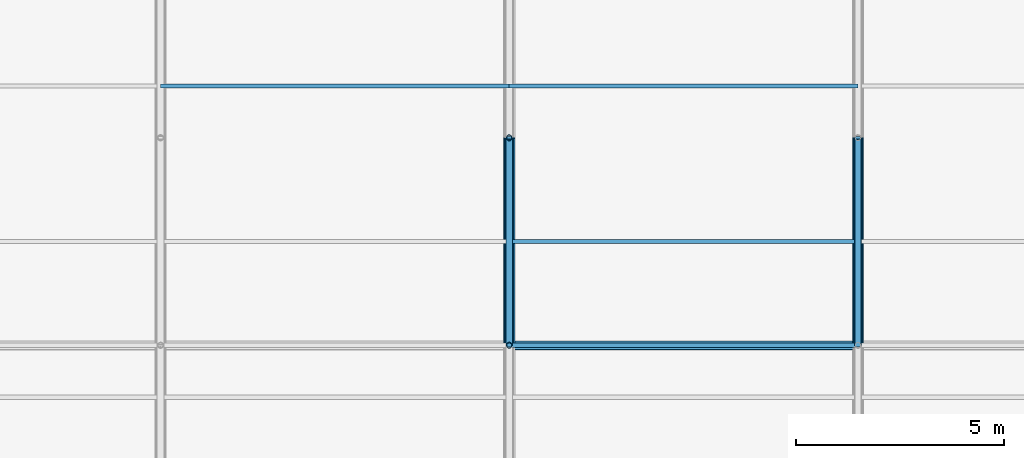
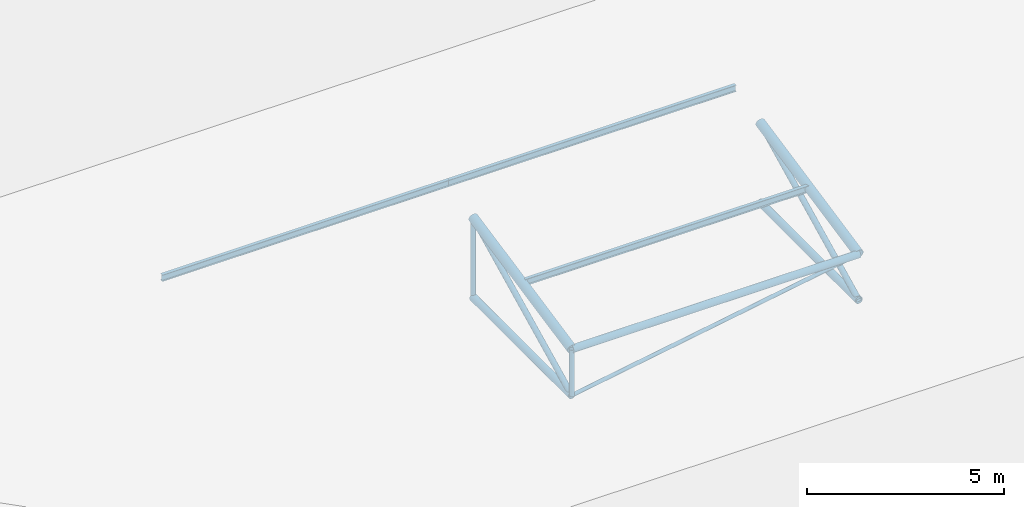
# One storey, part 52 of 194: 10 members, 3 beams.
"""IFC4 building model written with IfcOpenShell, lengths in metres."""

from ifc_helpers import new_model, si_unit, direction, frame, origin, origin_2d, place, context, subcontext, project, spatial, hollow_circle, i_section, extrude, material, material_profile, profile_set, type_object, element, save


model = new_model("IFC4")

# Units and contexts
model_context = context("Model", 3, precision=1e-05, world=origin(), true_north=direction((0.0, 1.0)))
body_context = subcontext(model_context, "Body", "Model", "MODEL_VIEW")
ifc_project = project(units=[si_unit("LENGTHUNIT", "METRE"), si_unit("AREAUNIT", "SQUARE_METRE"), si_unit("VOLUMEUNIT", "CUBIC_METRE"), si_unit("PLANEANGLEUNIT", "RADIAN"), si_unit("MASSUNIT", "GRAM", prefix="KILO")], contexts=[model_context])

# Site, building, storey
site_placement = place(None, origin())
site = spatial("IfcSite", under=ifc_project, at=site_placement, CompositionType="ELEMENT")
building_placement = place(site_placement, origin())
building = spatial("IfcBuilding", under=site, at=building_placement, Name="Kazenagashi Tramway Depot", CompositionType="ELEMENT")
storey_placement = place(building_placement, frame((0.0, 0.0, 23.7)))
storey = spatial("IfcBuildingStorey", under=building, at=storey_placement, Name="ROOF", CompositionType="ELEMENT", Elevation=23.7)

# Beams
ifc_material_1 = material(Name="Steel SN400B", Category="steel")
ifc_material_profile_1 = material_profile(ifc_material_1, i_section(OverallWidth=0.1, OverallDepth=0.2, WebThickness=0.0055, FlangeThickness=0.008, at=origin_2d()), Name="H-200x100x5.5x8")
ifc_profile_set_1 = profile_set([ifc_material_profile_1], Name="Steel SN400B")
beam_type = type_object("IfcBeamType", Name="PR-01", PredefinedType="USERDEFINED", material=ifc_profile_set_1)
for number, where, z_axis, x_axis, name in (
    (1, (103.6, 107.5, -12.13), (1.0, 0.0, 0.0), (0.0, 1.0, 0.0), "Beam PR-01 BM-2151"),
    (2, (95.2, 111.25, -11.305), (1.0, 0.0, 0.0), (0.0, 1.0, 0.0), "Beam PR-01 BM-2168"),
    (3, (103.6, 111.25, -11.305), (1.0, 0.0, 0.0), (0.0, 1.0, 0.0), "Beam PR-01 BM-2169"),
):
    element("IfcBeam", number, at=place(storey_placement, frame(where, z_axis=z_axis, x_axis=x_axis)), inside=storey, type_object=beam_type, Name=name, ObjectType="PURLIN", PredefinedType="USERDEFINED", context=body_context, shape_type="SweptSolid", body=[
        extrude(i_section(OverallWidth=0.1, OverallDepth=0.2, WebThickness=0.0055, FlangeThickness=0.008, at=origin_2d()), origin(), (0.0, 0.0, 1.0), 8.4),
    ])

# Members
ifc_material_2 = material(Name="Steel STK490", Category="steel")
ifc_material_profile_2 = material_profile(ifc_material_2, hollow_circle(Radius=0.1337, WallThickness=0.0093, at=origin_2d()), Name="CHS-267.4x9.3")
ifc_profile_set_2 = profile_set([ifc_material_profile_2], Name="Steel STK490")
member_type_1 = type_object("IfcMemberType", Name="TC-01", PredefinedType="CHORD", material=ifc_profile_set_2)
for number, where, z_axis, x_axis, name in (
    (4, (103.6, 105.0, -12.667), (0.0, 0.979279174591, 0.202514933305), (-1.0, 0.0, 0.0), "Tubular Space Frame TC-01 MEM-0462"),
    (5, (112.0, 105.0, -12.667), (0.0, 0.979279174591, 0.202514933305), (-1.0, 0.0, 0.0), "Tubular Space Frame TC-01 MEM-0523"),
):
    element("IfcMember", number, at=place(storey_placement, frame(where, z_axis=z_axis, x_axis=x_axis)), inside=storey, type_object=member_type_1, Name=name, PredefinedType="CHORD", context=body_context, shape_type="SweptSolid", body=[
        extrude(hollow_circle(Radius=0.1337, WallThickness=0.0093, at=origin_2d()), origin(), (0.0, 0.0, 1.0), 5.105796),
    ])
ifc_material_profile_3 = material_profile(ifc_material_2, hollow_circle(Radius=0.10815, WallThickness=0.0082, at=origin_2d()), Name="CHS-216.3x8.2")
ifc_profile_set_3 = profile_set([ifc_material_profile_3], Name="Steel STK490")
member_type_2 = type_object("IfcMemberType", Name="TC-02", PredefinedType="CHORD", material=ifc_profile_set_3)
member_1_placement = place(storey_placement, frame((103.6, 105.0, -14.1), z_axis=(0.0, 1.0, 0.0), x_axis=(-1.0, 0.0, 0.0)))
element("IfcMember", 6, at=member_1_placement, inside=storey, type_object=member_type_2, Name="Tubular Space Frame TC-02 MEM-0463", PredefinedType="CHORD", context=body_context, shape_type="SweptSolid", body=[
    extrude(hollow_circle(Radius=0.10815, WallThickness=0.0082, at=origin_2d()), origin(), (0.0, 0.0, 1.0), 5.0),
])
member_2_placement = place(storey_placement, frame((103.6, 105.0, -12.667), z_axis=(1.0, 0.0, 0.0), x_axis=(0.0, 1.0, 0.0)))
element("IfcMember", 7, at=member_2_placement, inside=storey, type_object=member_type_2, Name="Tubular Space Frame TC-02 MEM-0483", PredefinedType="CHORD", context=body_context, shape_type="SweptSolid", body=[
    extrude(hollow_circle(Radius=0.10815, WallThickness=0.0082, at=origin_2d()), origin(), (0.0, 0.0, 1.0), 8.4),
])
member_3_placement = place(storey_placement, frame((112.0, 105.0, -14.1), z_axis=(0.0, 1.0, 0.0), x_axis=(-1.0, 0.0, 0.0)))
element("IfcMember", 8, at=member_3_placement, inside=storey, type_object=member_type_2, Name="Tubular Space Frame TC-02 MEM-0524", PredefinedType="CHORD", context=body_context, shape_type="SweptSolid", body=[
    extrude(hollow_circle(Radius=0.10815, WallThickness=0.0082, at=origin_2d()), origin(), (0.0, 0.0, 1.0), 5.0),
])
ifc_material_profile_4 = material_profile(ifc_material_2, hollow_circle(Radius=0.0826, WallThickness=0.0071, at=origin_2d()), Name="CHS-165.2x7.1")
ifc_profile_set_4 = profile_set([ifc_material_profile_4], Name="Steel STK490")
member_type_3 = type_object("IfcMemberType", Name="TS-01", PredefinedType="STRUT", material=ifc_profile_set_4)
for number, where, z_axis, x_axis, name in (
    (9, (103.6, 105.0, -14.1), (0.0, 0.896782162482, 0.442472318969), (-1.0, 0.0, 0.0), "Tubular Space Frame TS-01 MEM-0464"),
    (10, (112.0, 105.0, -14.1), (0.0, 0.896782162482, 0.442472318969), (-1.0, 0.0, 0.0), "Tubular Space Frame TS-01 MEM-0525"),
):
    element("IfcMember", number, at=place(storey_placement, frame(where, z_axis=z_axis, x_axis=x_axis)), inside=storey, type_object=member_type_3, Name=name, PredefinedType="STRUT", context=body_context, shape_type="SweptSolid", body=[
        extrude(hollow_circle(Radius=0.0826, WallThickness=0.0071, at=origin_2d()), origin(), (0.0, 0.0, 1.0), 5.57549),
    ])
ifc_material_profile_5 = material_profile(ifc_material_2, hollow_circle(Radius=0.0699, WallThickness=0.0066, at=origin_2d()), Name="CHS-139.8x6.6")
ifc_profile_set_5 = profile_set([ifc_material_profile_5], Name="Steel STK490")
member_type_4 = type_object("IfcMemberType", Name="TS-02", PredefinedType="STRUT", material=ifc_profile_set_5)
member_4_placement = place(storey_placement, frame((103.6, 105.0, -14.1), z_axis=(0.0, 0.0, 1.0), x_axis=(1.0, 0.0, 0.0)))
element("IfcMember", 11, at=member_4_placement, inside=storey, type_object=member_type_4, Name="Tubular Space Frame TS-02 MEM-0477", PredefinedType="STRUT", context=body_context, shape_type="SweptSolid", body=[
    extrude(hollow_circle(Radius=0.0699, WallThickness=0.0066, at=origin_2d()), origin(), (0.0, 0.0, 1.0), 1.433),
])
member_5_placement = place(storey_placement, frame((103.6, 110.0, -14.1), z_axis=(0.0, 0.0, 1.0), x_axis=(1.0, 0.0, 0.0)))
element("IfcMember", 12, at=member_5_placement, inside=storey, type_object=member_type_4, Name="Tubular Space Frame TS-02 MEM-0478", PredefinedType="STRUT", context=body_context, shape_type="SweptSolid", body=[
    extrude(hollow_circle(Radius=0.0699, WallThickness=0.0066, at=origin_2d()), origin(), (0.0, 0.0, 1.0), 2.467),
])
ifc_material_3 = material(Name="Steel STK400", Category="steel")
ifc_material_profile_6 = material_profile(ifc_material_3, hollow_circle(Radius=0.05715, WallThickness=0.0045, at=origin_2d()), Name="CHS-114.3x4.5")
ifc_profile_set_6 = profile_set([ifc_material_profile_6], Name="Steel STK400")
member_type_5 = type_object("IfcMemberType", Name="TS-03", PredefinedType="STRUT", material=ifc_profile_set_6)
member_6_placement = place(storey_placement, frame((103.6, 105.0, -14.1), z_axis=(0.985758734117, 0.0, 0.168165745951), x_axis=(0.0, 1.0, 0.0)))
element("IfcMember", 13, at=member_6_placement, inside=storey, type_object=member_type_5, Name="Tubular Space Frame TS-03 MEM-0484", PredefinedType="STRUT", context=body_context, shape_type="SweptSolid", body=[
    extrude(hollow_circle(Radius=0.05715, WallThickness=0.0045, at=origin_2d()), origin(), (0.0, 0.0, 1.0), 8.521355),
])

save(model, "model.ifc")
